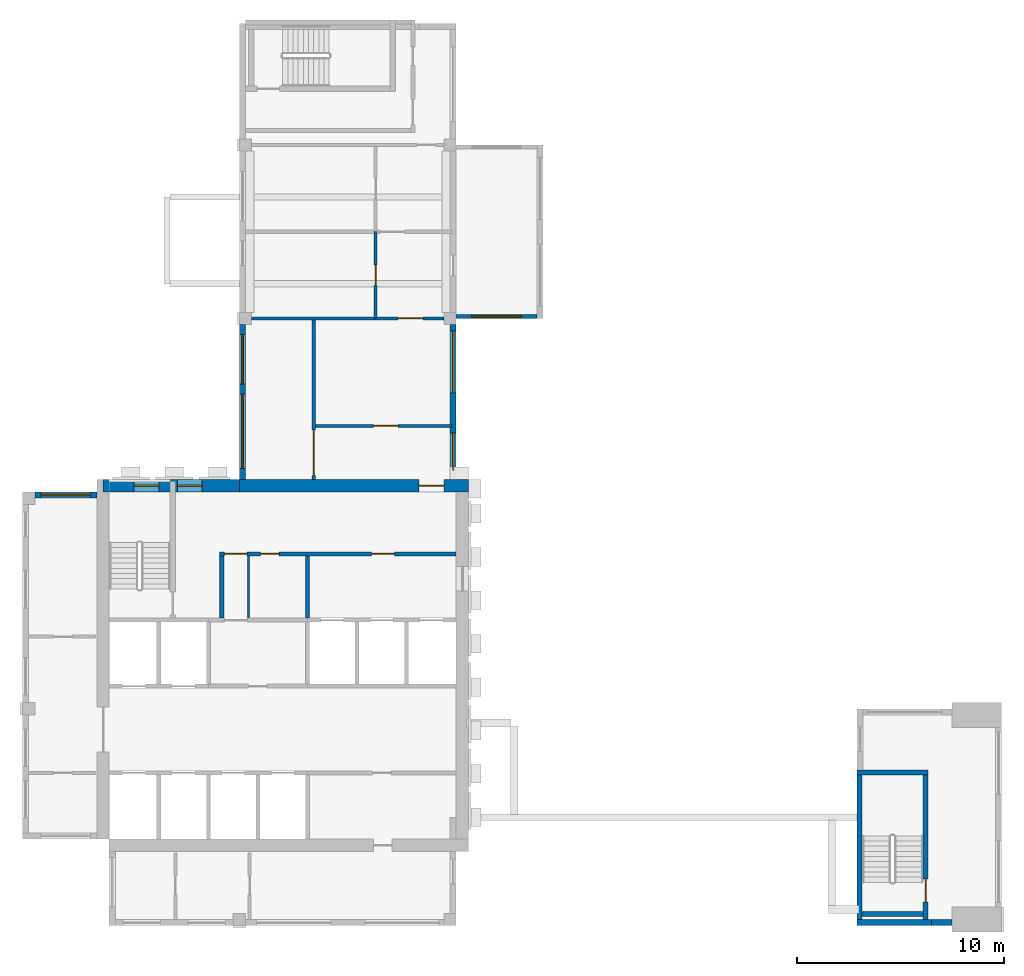
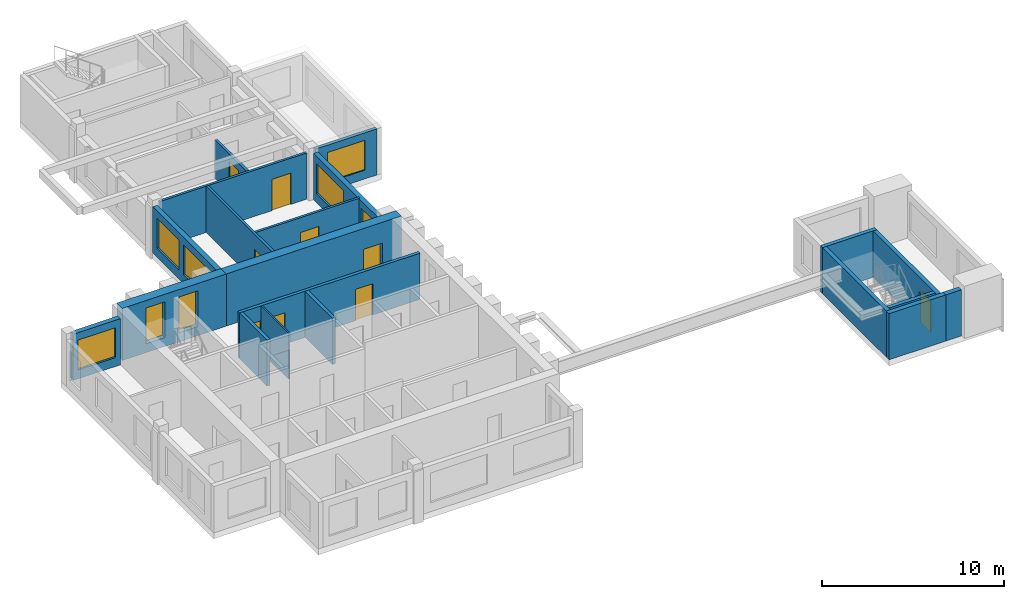
# One storey, part 3 of 8: 20 walls, 9 doors, 8 windows, 17 openings.
"""IFC4 building model written with IfcOpenShell, lengths in metres."""

from ifc_helpers import new_model, si_unit, direction, frame, frame_2d, origin, place, context, subcontext, project, spatial, rectangle, extrude, source, transform, mapped, material, layer, layer_set, type_object, element, fill, save


model = new_model("IFC4")

# Units and contexts
model_context = context("Model", 3, precision=1e-05, world=origin(), true_north=direction((0.0, 1.0)))
body_context = subcontext(model_context, "Body", "Model", "MODEL_VIEW")
ifc_project = project(units=[si_unit("LENGTHUNIT", "METRE"), si_unit("AREAUNIT", "SQUARE_METRE"), si_unit("VOLUMEUNIT", "CUBIC_METRE"), si_unit("PLANEANGLEUNIT", "RADIAN"), si_unit("MASSUNIT", "GRAM", prefix="KILO")], contexts=[model_context])

# Site, building, storey
site_placement = place(None, origin())
site = spatial("IfcSite", under=ifc_project, at=site_placement, CompositionType="ELEMENT")
building_placement = place(site_placement, origin())
building = spatial("IfcBuilding", under=site, at=building_placement, Name="Aurelian Terraces", CompositionType="ELEMENT")
storey_placement = place(building_placement, frame((0.0, 0.0, 344.0)))
storey = spatial("IfcBuildingStorey", under=building, at=storey_placement, Name="L81", CompositionType="ELEMENT", Elevation=344.0)

# Wall, opening, door
ifc_material_1 = material(Name="Concrete fc' 55 MPa", Category="concrete")
ifc_layer_1 = layer(ifc_material_1, 0.6)
ifc_layer_set_1 = layer_set([ifc_layer_1], Name="CORE WALL 600 FC55")
wall_type_1 = type_object("IfcWallType", Name="CORE WALL 600 FC55", PredefinedType="SHEAR", material=ifc_layer_set_1)
shared_shape_1 = source(origin(), body_context, "Body", "SweptSolid", [
    extrude(rectangle(XDim=11.1, YDim=0.6, at=frame_2d((5.55, 0.0))), origin(), (0.0, 0.0, 1.0), 3.5),
])
wall_1_placement = place(storey_placement, frame((10.5, 21.3, 0.0), z_axis=(0.0, 0.0, 1.0), x_axis=(1.0, 0.0, 0.0)))
wall_1 = element("IfcWall", 1, at=wall_1_placement, inside=storey, type_object=wall_type_1, Name="Core wall N L81", PredefinedType="SHEAR", context=body_context, shape_type="MappedRepresentation", body=[
    mapped(shared_shape_1, transform((0.0, 0.0, 0.0), scale=1.0)),
])
shared_shape_2 = source(origin(), body_context, "Body", "SweptSolid", [
    extrude(rectangle(XDim=1.2, YDim=2.1, at=frame_2d((0.6, 1.05))), frame((0.0, 0.31, 0.0), z_axis=(0.0, -1.0, 0.0), x_axis=(1.0, 0.0, 0.0)), (0.0, 0.0, 1.0), 0.62),
])
opening_1_placement = place(wall_1_placement, frame((8.7, 0.0, 0.0)))
opening_1 = element("IfcOpeningElement", 2, at=opening_1_placement, cuts=wall_1, Name="Opening 68421", PredefinedType="OPENING", context=body_context, shape_type="MappedRepresentation", body=[
    mapped(shared_shape_2, transform((0.0, 0.0, 0.0), scale=1.0)),
])
ifc_material_2 = material(Name="Steel door leaf", Category="steel")
door_type_1 = type_object("IfcDoorType", Name="Core fire door 1200x2100 right", OperationType="SINGLE_SWING_RIGHT", PredefinedType="DOOR", material=ifc_material_2)
shared_shape_3 = source(origin(), body_context, "Body", "SweptSolid", [
    extrude(rectangle(XDim=1.2, YDim=2.1, at=frame_2d((0.6, 1.05))), frame((0.0, 0.025, 0.0), z_axis=(0.0, -1.0, 0.0), x_axis=(1.0, 0.0, 0.0)), (0.0, 0.0, 1.0), 0.05),
])
door_1_placement = place(opening_1_placement, origin())
door_1 = element("IfcDoor", 3, at=door_1_placement, inside=storey, type_object=door_type_1, Name="Core door 68421", OperationType="SINGLE_SWING_RIGHT", OverallHeight=2.1, OverallWidth=1.2, PredefinedType="DOOR", context=body_context, shape_type="MappedRepresentation", body=[
    mapped(shared_shape_3, transform((0.0, 0.0, 0.0), scale=1.0)),
])
fill(opening_1, door_1)

# Wall, openings, windows
shared_shape_4 = source(origin(), body_context, "Body", "SweptSolid", [
    extrude(rectangle(XDim=6.6, YDim=0.6, at=frame_2d((3.3, 0.0))), origin(), (0.0, 0.0, 1.0), 3.5),
])
wall_2_placement = place(storey_placement, frame((3.9, 21.3, 0.0), z_axis=(0.0, 0.0, 1.0), x_axis=(1.0, 0.0, 0.0)))
wall_2 = element("IfcWall", 4, at=wall_2_placement, inside=storey, type_object=wall_type_1, Name="Core wall N L81 exposed", PredefinedType="SHEAR", context=body_context, shape_type="MappedRepresentation", body=[
    mapped(shared_shape_4, transform((0.0, 0.0, 0.0), scale=1.0)),
])
shared_shape_5 = source(origin(), body_context, "Body", "SweptSolid", [
    extrude(rectangle(XDim=1.2, YDim=2.4, at=frame_2d((0.6, 1.2))), frame((0.0, 0.31, 0.0), z_axis=(0.0, -1.0, 0.0), x_axis=(1.0, 0.0, 0.0)), (0.0, 0.0, 1.0), 0.62),
])
opening_2_placement = place(wall_2_placement, frame((1.5, 0.0, 0.6)))
opening_2 = element("IfcOpeningElement", 5, at=opening_2_placement, cuts=wall_2, Name="Opening W-CL", PredefinedType="OPENING", context=body_context, shape_type="MappedRepresentation", body=[
    mapped(shared_shape_5, transform((0.0, 0.0, 0.0), scale=1.0)),
])
opening_3_placement = place(wall_2_placement, frame((3.6, 0.0, 0.6)))
opening_3 = element("IfcOpeningElement", 6, at=opening_3_placement, cuts=wall_2, Name="Opening W-CL", PredefinedType="OPENING", context=body_context, shape_type="MappedRepresentation", body=[
    mapped(shared_shape_5, transform((0.0, 0.0, 0.0), scale=1.0)),
])
ifc_material_3 = material(Name="Fire-resisting glazing", Category="glass")
window_type_1 = type_object("IfcWindowType", Name="Core lobby window 1200x2400", PartitioningType="SINGLE_PANEL", PredefinedType="WINDOW", material=ifc_material_3)
shared_shape_6 = source(origin(), body_context, "Body", "SweptSolid", [
    extrude(rectangle(XDim=1.2, YDim=2.4, at=frame_2d((0.6, 1.2))), frame((0.0, 0.03, 0.0), z_axis=(0.0, -1.0, 0.0), x_axis=(1.0, 0.0, 0.0)), (0.0, 0.0, 1.0), 0.06),
])
window_1_placement = place(opening_2_placement, origin())
window_1 = element("IfcWindow", 7, at=window_1_placement, inside=storey, type_object=window_type_1, Name="Lobby window L81 N53", OverallHeight=2.4, OverallWidth=1.2, PartitioningType="SINGLE_PANEL", PredefinedType="WINDOW", context=body_context, shape_type="MappedRepresentation", body=[
    mapped(shared_shape_6, transform((0.0, 0.0, 0.0), scale=1.0)),
])
fill(opening_2, window_1)
window_2_placement = place(opening_3_placement, origin())
window_2 = element("IfcWindow", 8, at=window_2_placement, inside=storey, type_object=window_type_1, Name="Lobby window L81 N54", OverallHeight=2.4, OverallWidth=1.2, PartitioningType="SINGLE_PANEL", PredefinedType="WINDOW", context=body_context, shape_type="MappedRepresentation", body=[
    mapped(shared_shape_6, transform((0.0, 0.0, 0.0), scale=1.0)),
])
fill(opening_3, window_2)

# Wall, opening, window
ifc_material_4 = material(Name="Concrete fc' 40 MPa", Category="concrete")
ifc_layer_2 = layer(ifc_material_4, 0.2)
ifc_layer_set_2 = layer_set([ifc_layer_2], Name="BOX BEARING WALL 200")
wall_type_2 = type_object("IfcWallType", Name="BOX BEARING WALL 200", PredefinedType="SOLIDWALL", material=ifc_layer_set_2)
shared_shape_7 = source(origin(), body_context, "Body", "SweptSolid", [
    extrude(rectangle(XDim=3.9, YDim=0.2, at=frame_2d((1.95, 0.0))), origin(), (0.0, 0.0, 1.0), 3.1),
])
wall_3_placement = place(storey_placement, frame((21.0, 29.5, 0.0), z_axis=(0.0, 0.0, 1.0), x_axis=(1.0, 0.0, 0.0)))
wall_3 = element("IfcWall", 9, at=wall_3_placement, inside=storey, type_object=wall_type_2, Name="Box return L81 J94.1", PredefinedType="SOLIDWALL", context=body_context, shape_type="MappedRepresentation", body=[
    mapped(shared_shape_7, transform((0.0, 0.0, 0.0), scale=1.0)),
])
shared_shape_8 = source(origin(), body_context, "Body", "SweptSolid", [
    extrude(rectangle(XDim=2.4, YDim=2.0, at=frame_2d((1.2, 1.0))), frame((0.0, 0.11, 0.0), z_axis=(0.0, -1.0, 0.0), x_axis=(1.0, 0.0, 0.0)), (0.0, 0.0, 1.0), 0.22),
])
opening_4_placement = place(wall_3_placement, frame((0.75, 0.0, 0.6)))
opening_4 = element("IfcOpeningElement", 10, at=opening_4_placement, cuts=wall_3, Name="Opening W2420", PredefinedType="OPENING", context=body_context, shape_type="MappedRepresentation", body=[
    mapped(shared_shape_8, transform((0.0, 0.0, 0.0), scale=1.0)),
])
ifc_material_5 = material(Name="Clear glazing", Category="glass")
window_type_2 = type_object("IfcWindowType", Name="W-2400x2000", PartitioningType="SINGLE_PANEL", PredefinedType="WINDOW", material=ifc_material_5)
shared_shape_9 = source(origin(), body_context, "Body", "SweptSolid", [
    extrude(rectangle(XDim=2.4, YDim=2.0, at=frame_2d((1.2, 1.0))), frame((0.0, 0.03, 0.0), z_axis=(0.0, -1.0, 0.0), x_axis=(1.0, 0.0, 0.0)), (0.0, 0.0, 1.0), 0.06),
])
window_3_placement = place(opening_4_placement, origin())
window_3 = element("IfcWindow", 11, at=window_3_placement, inside=storey, type_object=window_type_2, Name="Window L81 J94-S1", OverallHeight=2.0, OverallWidth=2.4, PartitioningType="SINGLE_PANEL", PredefinedType="WINDOW", context=body_context, shape_type="MappedRepresentation", body=[
    mapped(shared_shape_9, transform((0.0, 0.0, 0.0), scale=1.0)),
])
fill(opening_4, window_3)

# Wall, openings, windows
ifc_material_6 = material(Name="Terracotta rainscreen cladding", Category="masonry")
ifc_layer_3 = layer(ifc_material_6, 0.3)
ifc_layer_set_3 = layer_set([ifc_layer_3], Name="EW-300")
wall_type_3 = type_object("IfcWallType", Name="EW-300", PredefinedType="STANDARD", material=ifc_layer_set_3)
shared_shape_10 = source(origin(), body_context, "Body", "SweptSolid", [
    extrude(rectangle(XDim=7.5, YDim=0.3, at=frame_2d((3.75, 0.0))), origin(), (0.0, 0.0, 1.0), 3.1),
])
wall_4_placement = place(storey_placement, frame((20.85, 21.6, 0.0), z_axis=(0.0, 0.0, 1.0), x_axis=(0.0, 1.0, 0.0)))
wall_4 = element("IfcWall", 12, at=wall_4_placement, inside=storey, type_object=wall_type_3, Name="External wall L81 F02.6", PredefinedType="STANDARD", context=body_context, shape_type="MappedRepresentation", body=[
    mapped(shared_shape_10, transform((0.0, 0.0, 0.0), scale=1.0)),
])
shared_shape_11 = source(origin(), body_context, "Body", "SweptSolid", [
    extrude(rectangle(XDim=1.8, YDim=2.0, at=frame_2d((0.9, 1.0))), frame((0.0, 0.16, 0.0), z_axis=(0.0, -1.0, 0.0), x_axis=(1.0, 0.0, 0.0)), (0.0, 0.0, 1.0), 0.32),
])
opening_5_placement = place(wall_4_placement, frame((0.4625, 0.0, 0.6)))
opening_5 = element("IfcOpeningElement", 13, at=opening_5_placement, cuts=wall_4, Name="Opening W1820", PredefinedType="OPENING", context=body_context, shape_type="MappedRepresentation", body=[
    mapped(shared_shape_11, transform((0.0, 0.0, 0.0), scale=1.0)),
])
shared_shape_12 = source(origin(), body_context, "Body", "SweptSolid", [
    extrude(rectangle(XDim=3.0, YDim=2.0, at=frame_2d((1.5, 1.0))), frame((0.0, 0.16, 0.0), z_axis=(0.0, -1.0, 0.0), x_axis=(1.0, 0.0, 0.0)), (0.0, 0.0, 1.0), 0.32),
])
opening_6_placement = place(wall_4_placement, frame((4.2, 0.0, 0.6)))
opening_6 = element("IfcOpeningElement", 14, at=opening_6_placement, cuts=wall_4, Name="Opening W3020", PredefinedType="OPENING", context=body_context, shape_type="MappedRepresentation", body=[
    mapped(shared_shape_12, transform((0.0, 0.0, 0.0), scale=1.0)),
])
window_type_3 = type_object("IfcWindowType", Name="W-3000x2000", PartitioningType="SINGLE_PANEL", PredefinedType="WINDOW", material=ifc_material_5)
shared_shape_13 = source(origin(), body_context, "Body", "SweptSolid", [
    extrude(rectangle(XDim=3.0, YDim=2.0, at=frame_2d((1.5, 1.0))), frame((0.0, 0.03, 0.0), z_axis=(0.0, -1.0, 0.0), x_axis=(1.0, 0.0, 0.0)), (0.0, 0.0, 1.0), 0.06),
])
window_4_placement = place(opening_6_placement, origin())
window_4 = element("IfcWindow", 15, at=window_4_placement, inside=storey, type_object=window_type_3, Name="Window L81 L81-F02-06-1", OverallHeight=2.0, OverallWidth=3.0, PartitioningType="SINGLE_PANEL", PredefinedType="WINDOW", context=body_context, shape_type="MappedRepresentation", body=[
    mapped(shared_shape_13, transform((0.0, 0.0, 0.0), scale=1.0)),
])
fill(opening_6, window_4)
window_type_4 = type_object("IfcWindowType", Name="W-1800x2000", PartitioningType="SINGLE_PANEL", PredefinedType="WINDOW", material=ifc_material_5)
shared_shape_14 = source(origin(), body_context, "Body", "SweptSolid", [
    extrude(rectangle(XDim=1.8, YDim=2.0, at=frame_2d((0.9, 1.0))), frame((0.0, 0.03, 0.0), z_axis=(0.0, -1.0, 0.0), x_axis=(1.0, 0.0, 0.0)), (0.0, 0.0, 1.0), 0.06),
])
window_5_placement = place(opening_5_placement, origin())
window_5 = element("IfcWindow", 16, at=window_5_placement, inside=storey, type_object=window_type_4, Name="Window L81 L81-F02-06-0", OverallHeight=2.0, OverallWidth=1.8, PartitioningType="SINGLE_PANEL", PredefinedType="WINDOW", context=body_context, shape_type="MappedRepresentation", body=[
    mapped(shared_shape_14, transform((0.0, 0.0, 0.0), scale=1.0)),
])
fill(opening_5, window_5)

wall_5_placement = place(storey_placement, frame((10.65, 29.1, 0.0), z_axis=(0.0, 0.0, 1.0), x_axis=(0.0, -1.0, 0.0)))
wall_5 = element("IfcWall", 17, at=wall_5_placement, inside=storey, type_object=wall_type_3, Name="External wall L81 F04.10", PredefinedType="STANDARD", context=body_context, shape_type="MappedRepresentation", body=[
    mapped(shared_shape_10, transform((0.0, 0.0, 0.0), scale=1.0)),
])
shared_shape_15 = source(origin(), body_context, "Body", "SweptSolid", [
    extrude(rectangle(XDim=3.6, YDim=2.0, at=frame_2d((1.8, 1.0))), frame((0.0, 0.16, 0.0), z_axis=(0.0, -1.0, 0.0), x_axis=(1.0, 0.0, 0.0)), (0.0, 0.0, 1.0), 0.32),
])
opening_7_placement = place(wall_5_placement, frame((3.36, 0.0, 0.6)))
opening_7 = element("IfcOpeningElement", 18, at=opening_7_placement, cuts=wall_5, Name="Opening W3620", PredefinedType="OPENING", context=body_context, shape_type="MappedRepresentation", body=[
    mapped(shared_shape_15, transform((0.0, 0.0, 0.0), scale=1.0)),
])
shared_shape_16 = source(origin(), body_context, "Body", "SweptSolid", [
    extrude(rectangle(XDim=2.4, YDim=2.0, at=frame_2d((1.2, 1.0))), frame((0.0, 0.16, 0.0), z_axis=(0.0, -1.0, 0.0), x_axis=(1.0, 0.0, 0.0)), (0.0, 0.0, 1.0), 0.32),
])
opening_8_placement = place(wall_5_placement, frame((0.48, 0.0, 0.6)))
opening_8 = element("IfcOpeningElement", 19, at=opening_8_placement, cuts=wall_5, Name="Opening W2420", PredefinedType="OPENING", context=body_context, shape_type="MappedRepresentation", body=[
    mapped(shared_shape_16, transform((0.0, 0.0, 0.0), scale=1.0)),
])
window_6_placement = place(opening_8_placement, origin())
window_6 = element("IfcWindow", 20, at=window_6_placement, inside=storey, type_object=window_type_2, Name="Window L81 L81-F04-10-G2-146", OverallHeight=2.0, OverallWidth=2.4, PartitioningType="SINGLE_PANEL", PredefinedType="WINDOW", context=body_context, shape_type="MappedRepresentation", body=[
    mapped(shared_shape_9, transform((0.0, 0.0, 0.0), scale=1.0)),
])
fill(opening_8, window_6)
window_type_5 = type_object("IfcWindowType", Name="W-3600x2000", PartitioningType="SINGLE_PANEL", PredefinedType="WINDOW", material=ifc_material_5)
shared_shape_17 = source(origin(), body_context, "Body", "SweptSolid", [
    extrude(rectangle(XDim=3.6, YDim=2.0, at=frame_2d((1.8, 1.0))), frame((0.0, 0.03, 0.0), z_axis=(0.0, -1.0, 0.0), x_axis=(1.0, 0.0, 0.0)), (0.0, 0.0, 1.0), 0.06),
])
window_7_placement = place(opening_7_placement, origin())
window_7 = element("IfcWindow", 21, at=window_7_placement, inside=storey, type_object=window_type_5, Name="Window L81 L81-F04-10-4", OverallHeight=2.0, OverallWidth=3.6, PartitioningType="SINGLE_PANEL", PredefinedType="WINDOW", context=body_context, shape_type="MappedRepresentation", body=[
    mapped(shared_shape_17, transform((0.0, 0.0, 0.0), scale=1.0)),
])
fill(opening_7, window_7)

# Wall, opening, window
shared_shape_18 = source(origin(), body_context, "Body", "SweptSolid", [
    extrude(rectangle(XDim=3.0, YDim=0.3, at=frame_2d((1.5, 0.0))), origin(), (0.0, 0.0, 1.0), 3.1),
])
wall_6_placement = place(storey_placement, frame((3.6, 20.85, 0.0), z_axis=(0.0, 0.0, 1.0), x_axis=(-1.0, 0.0, 0.0)))
wall_6 = element("IfcWall", 22, at=wall_6_placement, inside=storey, type_object=wall_type_3, Name="External wall L81 F09.15", PredefinedType="STANDARD", context=body_context, shape_type="MappedRepresentation", body=[
    mapped(shared_shape_18, transform((0.0, 0.0, 0.0), scale=1.0)),
])
opening_9_placement = place(wall_6_placement, frame((0.3, 0.0, 0.6)))
opening_9 = element("IfcOpeningElement", 23, at=opening_9_placement, cuts=wall_6, Name="Opening W2420", PredefinedType="OPENING", context=body_context, shape_type="MappedRepresentation", body=[
    mapped(shared_shape_16, transform((0.0, 0.0, 0.0), scale=1.0)),
])
window_8_placement = place(opening_9_placement, origin())
window_8 = element("IfcWindow", 24, at=window_8_placement, inside=storey, type_object=window_type_2, Name="Window L81 L81-F09-15-0", OverallHeight=2.0, OverallWidth=2.4, PartitioningType="SINGLE_PANEL", PredefinedType="WINDOW", context=body_context, shape_type="MappedRepresentation", body=[
    mapped(shared_shape_9, transform((0.0, 0.0, 0.0), scale=1.0)),
])
fill(opening_9, window_8)

# Walls
ifc_layer_4 = layer(ifc_material_4, 0.3)
ifc_layer_set_4 = layer_set([ifc_layer_4], Name="STAIR BAY WALL 300")
wall_type_4 = type_object("IfcWallType", Name="STAIR BAY WALL 300", PredefinedType="SOLIDWALL", material=ifc_layer_set_4)
shared_shape_19 = source(origin(), body_context, "Body", "SweptSolid", [
    extrude(rectangle(XDim=3.6, YDim=0.3, at=frame_2d((1.8, 0.0))), origin(), (0.0, 0.0, 1.0), 3.1),
])
wall_7_placement = place(storey_placement, frame((40.4, 0.15, 0.0), z_axis=(0.0, 0.0, 1.0), x_axis=(1.0, 0.0, 0.0)))
element("IfcWall", 25, at=wall_7_placement, inside=storey, type_object=wall_type_4, Name="Stair bay wall L81 F13.19", PredefinedType="SOLIDWALL", context=body_context, shape_type="MappedRepresentation", body=[
    mapped(shared_shape_19, transform((0.0, 0.0, 0.0), scale=1.0)),
])
shared_shape_20 = source(origin(), body_context, "Body", "SweptSolid", [
    extrude(rectangle(XDim=1.0, YDim=0.3, at=frame_2d((0.5, 0.0))), origin(), (0.0, 0.0, 1.0), 3.1),
])
wall_8_placement = place(storey_placement, frame((44.0, 0.15, 0.0), z_axis=(0.0, 0.0, 1.0), x_axis=(1.0, 0.0, 0.0)))
element("IfcWall", 26, at=wall_8_placement, inside=storey, type_object=wall_type_3, Name="External wall L81 F13.19", PredefinedType="STANDARD", context=body_context, shape_type="MappedRepresentation", body=[
    mapped(shared_shape_20, transform((0.0, 0.0, 0.0), scale=1.0)),
])
ifc_material_7 = material(Name="Gypsum board on steel studs", Category="steel")
ifc_layer_5 = layer(ifc_material_7, 0.2)
ifc_layer_set_5 = layer_set([ifc_layer_5], Name="Core partition 200")
wall_type_5 = type_object("IfcWallType", Name="Core partition 200", PredefinedType="PARTITIONING", material=ifc_layer_set_5)
shared_shape_21 = source(origin(), body_context, "Body", "SweptSolid", [
    extrude(rectangle(XDim=3.0, YDim=0.2, at=frame_2d((1.5, 0.0))), origin(), (0.0, 0.0, 1.0), 3.1),
])
for number, where, z_axis, x_axis, name in (
    (27, (9.65, 14.9, 0.0), (0.0, 0.0, 1.0), (0.0, 1.0, 0.0), "L81 core wall CP-VEST"),
    (28, (13.8, 14.9, 0.0), (0.0, 0.0, 1.0), (0.0, 1.0, 0.0), "L81 core wall CP-FFL"),
):
    element("IfcWall", number, at=place(storey_placement, frame(where, z_axis=z_axis, x_axis=x_axis)), inside=storey, type_object=wall_type_5, Name=name, PredefinedType="PARTITIONING", context=body_context, shape_type="MappedRepresentation", body=[
        mapped(shared_shape_21, transform((0.0, 0.0, 0.0), scale=1.0)),
    ])
ifc_layer_6 = layer(ifc_material_4, 0.25)
ifc_layer_set_6 = layer_set([ifc_layer_6], Name="Stair enclosure wall 250")
wall_type_6 = type_object("IfcWallType", Name="Stair enclosure wall 250", PredefinedType="SOLIDWALL", material=ifc_layer_set_6)
shared_shape_22 = source(origin(), body_context, "Body", "SweptSolid", [
    extrude(rectangle(XDim=7.0, YDim=0.25, at=frame_2d((3.5, 0.0))), origin(), (0.0, 0.0, 1.0), 3.1),
])
wall_9_placement = place(storey_placement, frame((40.525, 0.3, 0.0), z_axis=(0.0, 0.0, 1.0), x_axis=(0.0, 1.0, 0.0)))
element("IfcWall", 29, at=wall_9_placement, inside=storey, type_object=wall_type_6, Name="L81 core wall ST-S2-W", PredefinedType="SOLIDWALL", context=body_context, shape_type="MappedRepresentation", body=[
    mapped(shared_shape_22, transform((0.0, 0.0, 0.0), scale=1.0)),
])

# Wall, opening, door
wall_10_placement = place(storey_placement, frame((43.725, 0.3, 0.0), z_axis=(0.0, 0.0, 1.0), x_axis=(0.0, 1.0, 0.0)))
wall_10 = element("IfcWall", 30, at=wall_10_placement, inside=storey, type_object=wall_type_6, Name="L81 core wall ST-S2-E", PredefinedType="SOLIDWALL", context=body_context, shape_type="MappedRepresentation", body=[
    mapped(shared_shape_22, transform((0.0, 0.0, 0.0), scale=1.0)),
])
shared_shape_23 = source(origin(), body_context, "Body", "SweptSolid", [
    extrude(rectangle(XDim=1.1, YDim=2.1, at=frame_2d((0.55, 1.05))), frame((0.0, 0.135, 0.0), z_axis=(0.0, -1.0, 0.0), x_axis=(1.0, 0.0, 0.0)), (0.0, 0.0, 1.0), 0.27),
])
opening_10_placement = place(wall_10_placement, frame((0.85, 0.0, 0.0)))
opening_10 = element("IfcOpeningElement", 31, at=opening_10_placement, cuts=wall_10, Name="Opening 68416", PredefinedType="OPENING", context=body_context, shape_type="MappedRepresentation", body=[
    mapped(shared_shape_23, transform((0.0, 0.0, 0.0), scale=1.0)),
])
door_type_2 = type_object("IfcDoorType", Name="Core fire door 1100x2100", OperationType="SINGLE_SWING_LEFT", PredefinedType="DOOR", material=ifc_material_2)
shared_shape_24 = source(origin(), body_context, "Body", "SweptSolid", [
    extrude(rectangle(XDim=1.1, YDim=2.1, at=frame_2d((0.55, 1.05))), frame((0.0, 0.025, 0.0), z_axis=(0.0, -1.0, 0.0), x_axis=(1.0, 0.0, 0.0)), (0.0, 0.0, 1.0), 0.05),
])
door_2_placement = place(opening_10_placement, origin())
door_2 = element("IfcDoor", 32, at=door_2_placement, inside=storey, type_object=door_type_2, Name="Room door 68416", OperationType="SINGLE_SWING_LEFT", OverallHeight=2.1, OverallWidth=1.1, PredefinedType="DOOR", context=body_context, shape_type="MappedRepresentation", body=[
    mapped(shared_shape_24, transform((0.0, 0.0, 0.0), scale=1.0)),
])
fill(opening_10, door_2)

# Wall
shared_shape_25 = source(origin(), body_context, "Body", "SweptSolid", [
    extrude(rectangle(XDim=3.45, YDim=0.25, at=frame_2d((1.725, 0.0))), origin(), (0.0, 0.0, 1.0), 3.1),
])
wall_11_placement = place(storey_placement, frame((40.4, 7.425, 0.0), z_axis=(0.0, 0.0, 1.0), x_axis=(1.0, 0.0, 0.0)))
element("IfcWall", 33, at=wall_11_placement, inside=storey, type_object=wall_type_6, Name="L81 core wall ST-S2-N", PredefinedType="SOLIDWALL", context=body_context, shape_type="MappedRepresentation", body=[
    mapped(shared_shape_25, transform((0.0, 0.0, 0.0), scale=1.0)),
])

# Wall, openings, doors
shared_shape_26 = source(origin(), body_context, "Body", "SweptSolid", [
    extrude(rectangle(XDim=11.45, YDim=0.2, at=frame_2d((5.725, 0.0))), origin(), (0.0, 0.0, 1.0), 3.1),
])
wall_12_placement = place(storey_placement, frame((9.55, 18.0, 0.0), z_axis=(0.0, 0.0, 1.0), x_axis=(1.0, 0.0, 0.0)))
wall_12 = element("IfcWall", 34, at=wall_12_placement, inside=storey, type_object=wall_type_5, Name="L81 core wall CP-NORTH", PredefinedType="PARTITIONING", context=body_context, shape_type="MappedRepresentation", body=[
    mapped(shared_shape_26, transform((0.0, 0.0, 0.0), scale=1.0)),
])
shared_shape_27 = source(origin(), body_context, "Body", "SweptSolid", [
    extrude(rectangle(XDim=1.1, YDim=2.1, at=frame_2d((0.55, 1.05))), frame((0.0, 0.11, 0.0), z_axis=(0.0, -1.0, 0.0), x_axis=(1.0, 0.0, 0.0)), (0.0, 0.0, 1.0), 0.22),
])
opening_11_placement = place(wall_12_placement, frame((0.225, 0.0, 0.0)))
opening_11 = element("IfcOpeningElement", 35, at=opening_11_placement, cuts=wall_12, Name="Opening 68413", PredefinedType="OPENING", context=body_context, shape_type="MappedRepresentation", body=[
    mapped(shared_shape_27, transform((0.0, 0.0, 0.0), scale=1.0)),
])
shared_shape_28 = source(origin(), body_context, "Body", "SweptSolid", [
    extrude(rectangle(XDim=0.9, YDim=2.1, at=frame_2d((0.45, 1.05))), frame((0.0, 0.11, 0.0), z_axis=(0.0, -1.0, 0.0), x_axis=(1.0, 0.0, 0.0)), (0.0, 0.0, 1.0), 0.22),
])
opening_12_placement = place(wall_12_placement, frame((1.975, 0.0, 0.0)))
opening_12 = element("IfcOpeningElement", 36, at=opening_12_placement, cuts=wall_12, Name="Opening 68414", PredefinedType="OPENING", context=body_context, shape_type="MappedRepresentation", body=[
    mapped(shared_shape_28, transform((0.0, 0.0, 0.0), scale=1.0)),
])
opening_13_placement = place(wall_12_placement, frame((7.35, 0.0, 0.0)))
opening_13 = element("IfcOpeningElement", 37, at=opening_13_placement, cuts=wall_12, Name="Opening 68415", PredefinedType="OPENING", context=body_context, shape_type="MappedRepresentation", body=[
    mapped(shared_shape_27, transform((0.0, 0.0, 0.0), scale=1.0)),
])
door_type_3 = type_object("IfcDoorType", Name="Core service door 900x2100", OperationType="SINGLE_SWING_LEFT", PredefinedType="DOOR", material=ifc_material_2)
shared_shape_29 = source(origin(), body_context, "Body", "SweptSolid", [
    extrude(rectangle(XDim=0.9, YDim=2.1, at=frame_2d((0.45, 1.05))), frame((0.0, 0.025, 0.0), z_axis=(0.0, -1.0, 0.0), x_axis=(1.0, 0.0, 0.0)), (0.0, 0.0, 1.0), 0.05),
])
door_3_placement = place(opening_12_placement, origin())
door_3 = element("IfcDoor", 38, at=door_3_placement, inside=storey, type_object=door_type_3, Name="Room door 68414", OperationType="SINGLE_SWING_LEFT", OverallHeight=2.1, OverallWidth=0.9, PredefinedType="DOOR", context=body_context, shape_type="MappedRepresentation", body=[
    mapped(shared_shape_29, transform((0.0, 0.0, 0.0), scale=1.0)),
])
fill(opening_12, door_3)
door_type_4 = type_object("IfcDoorType", Name="Core service door 1100x2100 right", OperationType="SINGLE_SWING_RIGHT", PredefinedType="DOOR", material=ifc_material_2)
door_4_placement = place(opening_11_placement, origin())
door_4 = element("IfcDoor", 39, at=door_4_placement, inside=storey, type_object=door_type_4, Name="Room door 68413", OperationType="SINGLE_SWING_RIGHT", OverallHeight=2.1, OverallWidth=1.1, PredefinedType="DOOR", context=body_context, shape_type="MappedRepresentation", body=[
    mapped(shared_shape_24, transform((0.0, 0.0, 0.0), scale=1.0)),
])
fill(opening_11, door_4)
door_type_5 = type_object("IfcDoorType", Name="Core fire door 1100x2100 right", OperationType="SINGLE_SWING_RIGHT", PredefinedType="DOOR", material=ifc_material_2)
door_5_placement = place(opening_13_placement, origin())
door_5 = element("IfcDoor", 40, at=door_5_placement, inside=storey, type_object=door_type_5, Name="Ff lobby door 68415", OperationType="SINGLE_SWING_RIGHT", OverallHeight=2.1, OverallWidth=1.1, PredefinedType="DOOR", context=body_context, shape_type="MappedRepresentation", body=[
    mapped(shared_shape_24, transform((0.0, 0.0, 0.0), scale=1.0)),
])
fill(opening_13, door_5)

# Walls
ifc_layer_7 = layer(ifc_material_7, 0.1)
ifc_layer_set_7 = layer_set([ifc_layer_7], Name="Core partition 100")
wall_type_7 = type_object("IfcWallType", Name="Core partition 100", PredefinedType="PARTITIONING", material=ifc_layer_set_7)
shared_shape_30 = source(origin(), body_context, "Body", "SweptSolid", [
    extrude(rectangle(XDim=3.0, YDim=0.1, at=frame_2d((1.5, 0.0))), origin(), (0.0, 0.0, 1.0), 3.1),
])
wall_13_placement = place(storey_placement, frame((10.95, 14.9, 0.0), z_axis=(0.0, 0.0, 1.0), x_axis=(0.0, 1.0, 0.0)))
element("IfcWall", 41, at=wall_13_placement, inside=storey, type_object=wall_type_7, Name="L81 core wall CP-SV1", PredefinedType="PARTITIONING", context=body_context, shape_type="MappedRepresentation", body=[
    mapped(shared_shape_30, transform((0.0, 0.0, 0.0), scale=1.0)),
])
shared_shape_31 = source(origin(), body_context, "Body", "SweptSolid", [
    extrude(rectangle(XDim=2.95, YDim=0.25, at=frame_2d((1.475, 0.0))), origin(), (0.0, 0.0, 1.0), 3.1),
])
wall_14_placement = place(storey_placement, frame((40.65, 0.575, 0.0), z_axis=(0.0, 0.0, 1.0), x_axis=(1.0, 0.0, 0.0)))
element("IfcWall", 42, at=wall_14_placement, inside=storey, type_object=wall_type_6, Name="L81 core wall ST-S2-SS", PredefinedType="SOLIDWALL", context=body_context, shape_type="MappedRepresentation", body=[
    mapped(shared_shape_31, transform((0.0, 0.0, 0.0), scale=1.0)),
])

# Wall, opening, door
ifc_layer_8 = layer(ifc_material_7, 0.15)
ifc_layer_set_8 = layer_set([ifc_layer_8], Name="Partition 150")
wall_type_8 = type_object("IfcWallType", Name="Partition 150", PredefinedType="PARTITIONING", material=ifc_layer_set_8)
shared_shape_32 = source(origin(), body_context, "Body", "SweptSolid", [
    extrude(rectangle(XDim=7.725, YDim=0.15, at=frame_2d((3.8625, 0.0))), origin(), (0.0, 0.0, 1.0), 3.1),
])
wall_15_placement = place(storey_placement, frame((14.1, 29.325, 0.0), z_axis=(0.0, 0.0, 1.0), x_axis=(0.0, -1.0, 0.0)))
wall_15 = element("IfcWall", 43, at=wall_15_placement, inside=storey, type_object=wall_type_8, Name="Partition", PredefinedType="PARTITIONING", context=body_context, shape_type="MappedRepresentation", body=[
    mapped(shared_shape_32, transform((0.0, 0.0, 0.0), scale=1.0)),
])
shared_shape_33 = source(origin(), body_context, "Body", "SweptSolid", [
    extrude(rectangle(XDim=2.2, YDim=2.1, at=frame_2d((1.1, 1.05))), frame((0.0, 0.085, 0.0), z_axis=(0.0, -1.0, 0.0), x_axis=(1.0, 0.0, 0.0)), (0.0, 0.0, 1.0), 0.17),
])
opening_14_placement = place(wall_15_placement, frame((5.325, 0.0, 0.0)))
opening_14 = element("IfcOpeningElement", 44, at=opening_14_placement, cuts=wall_15, Name="Opening 781005", PredefinedType="OPENING", context=body_context, shape_type="MappedRepresentation", body=[
    mapped(shared_shape_33, transform((0.0, 0.0, 0.0), scale=1.0)),
])
ifc_material_8 = material(Name="Timber door leaf", Category="wood")
door_type_6 = type_object("IfcDoorType", Name="Double room door 2200x2100", OperationType="DOUBLE_DOOR_SINGLE_SWING", PredefinedType="DOOR", material=ifc_material_8)
shared_shape_34 = source(origin(), body_context, "Body", "SweptSolid", [
    extrude(rectangle(XDim=2.2, YDim=2.1, at=frame_2d((1.1, 1.05))), frame((0.0, 0.025, 0.0), z_axis=(0.0, -1.0, 0.0), x_axis=(1.0, 0.0, 0.0)), (0.0, 0.0, 1.0), 0.05),
])
door_6_placement = place(opening_14_placement, origin())
door_6 = element("IfcDoor", 45, at=door_6_placement, inside=storey, type_object=door_type_6, Name="Door 781005", OperationType="DOUBLE_DOOR_SINGLE_SWING", OverallHeight=2.1, OverallWidth=2.2, PredefinedType="DOOR", context=body_context, shape_type="MappedRepresentation", body=[
    mapped(shared_shape_34, transform((0.0, 0.0, 0.0), scale=1.0)),
])
fill(opening_14, door_6)

shared_shape_35 = source(origin(), body_context, "Body", "SweptSolid", [
    extrude(rectangle(XDim=9.302, YDim=0.15, at=frame_2d((4.651, 0.0))), origin(), (0.0, 0.0, 1.0), 3.1),
])
wall_16_placement = place(storey_placement, frame((11.099, 29.4, 0.0), z_axis=(0.0, 0.0, 1.0), x_axis=(1.0, 0.0, 0.0)))
wall_16 = element("IfcWall", 46, at=wall_16_placement, inside=storey, type_object=wall_type_8, Name="Partition", PredefinedType="PARTITIONING", context=body_context, shape_type="MappedRepresentation", body=[
    mapped(shared_shape_35, transform((0.0, 0.0, 0.0), scale=1.0)),
])
shared_shape_36 = source(origin(), body_context, "Body", "SweptSolid", [
    extrude(rectangle(XDim=1.2, YDim=2.1, at=frame_2d((0.6, 1.05))), frame((0.0, 0.085, 0.0), z_axis=(0.0, -1.0, 0.0), x_axis=(1.0, 0.0, 0.0)), (0.0, 0.0, 1.0), 0.17),
])
opening_15_placement = place(wall_16_placement, frame((7.0885, 0.0, 0.0)))
opening_15 = element("IfcOpeningElement", 47, at=opening_15_placement, cuts=wall_16, Name="Opening 781008", PredefinedType="OPENING", context=body_context, shape_type="MappedRepresentation", body=[
    mapped(shared_shape_36, transform((0.0, 0.0, 0.0), scale=1.0)),
])
door_type_7 = type_object("IfcDoorType", Name="Room door 1200x2100 left", OperationType="SINGLE_SWING_LEFT", PredefinedType="DOOR", material=ifc_material_8)
door_7_placement = place(opening_15_placement, origin())
door_7 = element("IfcDoor", 48, at=door_7_placement, inside=storey, type_object=door_type_7, Name="Door 781008", OperationType="SINGLE_SWING_LEFT", OverallHeight=2.1, OverallWidth=1.2, PredefinedType="DOOR", context=body_context, shape_type="MappedRepresentation", body=[
    mapped(shared_shape_3, transform((0.0, 0.0, 0.0), scale=1.0)),
])
fill(opening_15, door_7)

shared_shape_37 = source(origin(), body_context, "Body", "SweptSolid", [
    extrude(rectangle(XDim=6.62, YDim=0.15, at=frame_2d((3.31, 0.0))), origin(), (0.0, 0.0, 1.0), 3.1),
])
wall_17_placement = place(storey_placement, frame((14.175, 24.2, 0.0), z_axis=(0.0, 0.0, 1.0), x_axis=(1.0, 0.0, 0.0)))
wall_17 = element("IfcWall", 49, at=wall_17_placement, inside=storey, type_object=wall_type_8, Name="Partition", PredefinedType="PARTITIONING", context=body_context, shape_type="MappedRepresentation", body=[
    mapped(shared_shape_37, transform((0.0, 0.0, 0.0), scale=1.0)),
])
opening_16_placement = place(wall_17_placement, frame((2.8125, 0.0, 0.0)))
opening_16 = element("IfcOpeningElement", 50, at=opening_16_placement, cuts=wall_17, Name="Opening 781010", PredefinedType="OPENING", context=body_context, shape_type="MappedRepresentation", body=[
    mapped(shared_shape_36, transform((0.0, 0.0, 0.0), scale=1.0)),
])
door_type_8 = type_object("IfcDoorType", Name="Room door 1200x2100 right", OperationType="SINGLE_SWING_RIGHT", PredefinedType="DOOR", material=ifc_material_8)
door_8_placement = place(opening_16_placement, origin())
door_8 = element("IfcDoor", 51, at=door_8_placement, inside=storey, type_object=door_type_8, Name="Door 781010", OperationType="SINGLE_SWING_RIGHT", OverallHeight=2.1, OverallWidth=1.2, PredefinedType="DOOR", context=body_context, shape_type="MappedRepresentation", body=[
    mapped(shared_shape_3, transform((0.0, 0.0, 0.0), scale=1.0)),
])
fill(opening_16, door_8)

shared_shape_38 = source(origin(), body_context, "Body", "SweptSolid", [
    extrude(rectangle(XDim=4.2, YDim=0.15, at=frame_2d((2.1, 0.0))), origin(), (0.0, 0.0, 1.0), 2.6),
])
wall_18_placement = place(storey_placement, frame((17.1, 33.6, 0.0), z_axis=(0.0, 0.0, 1.0), x_axis=(0.0, -1.0, 0.0)))
wall_18 = element("IfcWall", 52, at=wall_18_placement, inside=storey, type_object=wall_type_8, Name="Partition", PredefinedType="PARTITIONING", context=body_context, shape_type="MappedRepresentation", body=[
    mapped(shared_shape_38, transform((0.0, 0.0, 0.0), scale=1.0)),
])
shared_shape_39 = source(origin(), body_context, "Body", "SweptSolid", [
    extrude(rectangle(XDim=1.0, YDim=2.1, at=frame_2d((0.5, 1.05))), frame((0.0, 0.085, 0.0), z_axis=(0.0, -1.0, 0.0), x_axis=(1.0, 0.0, 0.0)), (0.0, 0.0, 1.0), 0.17),
])
opening_17_placement = place(wall_18_placement, frame((1.6, 0.0, 0.0)))
opening_17 = element("IfcOpeningElement", 53, at=opening_17_placement, cuts=wall_18, Name="Opening 781006", PredefinedType="OPENING", context=body_context, shape_type="MappedRepresentation", body=[
    mapped(shared_shape_39, transform((0.0, 0.0, 0.0), scale=1.0)),
])
door_type_9 = type_object("IfcDoorType", Name="Room door 1000x2100 right", OperationType="SINGLE_SWING_RIGHT", PredefinedType="DOOR", material=ifc_material_8)
shared_shape_40 = source(origin(), body_context, "Body", "SweptSolid", [
    extrude(rectangle(XDim=1.0, YDim=2.1, at=frame_2d((0.5, 1.05))), frame((0.0, 0.025, 0.0), z_axis=(0.0, -1.0, 0.0), x_axis=(1.0, 0.0, 0.0)), (0.0, 0.0, 1.0), 0.05),
])
door_9_placement = place(opening_17_placement, origin())
door_9 = element("IfcDoor", 54, at=door_9_placement, inside=storey, type_object=door_type_9, Name="Door 781006", OperationType="SINGLE_SWING_RIGHT", OverallHeight=2.1, OverallWidth=1.0, PredefinedType="DOOR", context=body_context, shape_type="MappedRepresentation", body=[
    mapped(shared_shape_40, transform((0.0, 0.0, 0.0), scale=1.0)),
])
fill(opening_17, door_9)

save(model, "model.ifc")
